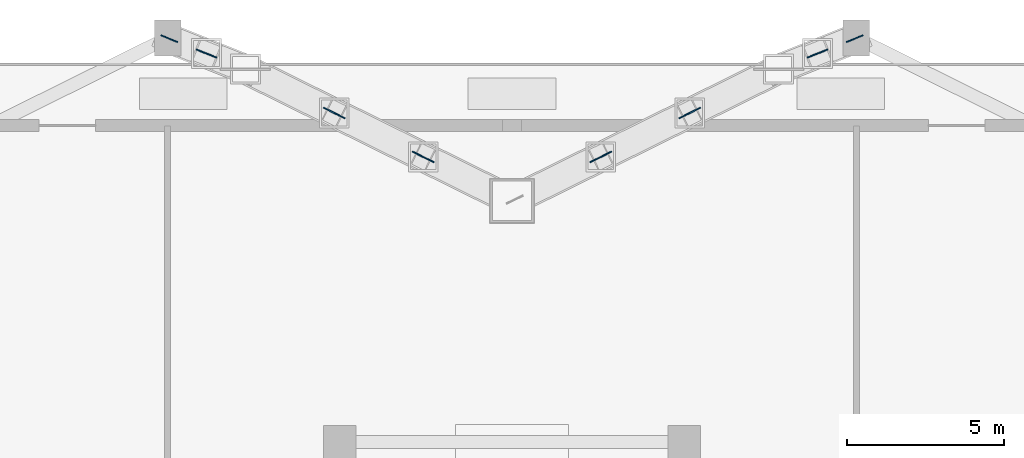
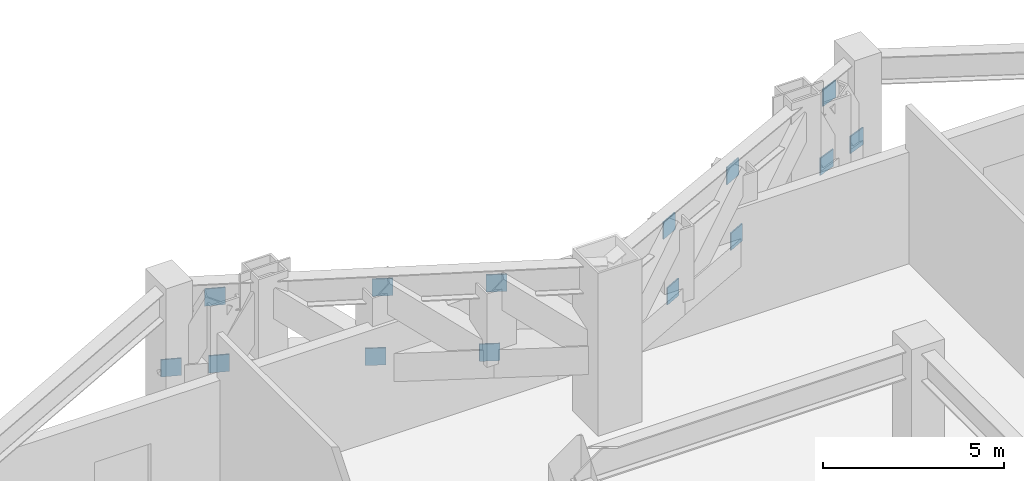
# One storey, part 5 of 9: 14 plates.
"""IFC4 building model written with IfcOpenShell, lengths in metres."""

from ifc_helpers import new_model, si_unit, direction, frame, origin, origin_2d, place, context, subcontext, project, spatial, rectangle, extrude, source, transform, mapped, material, layer, layer_set, type_object, element, save


model = new_model("IFC4")

# Units and contexts
model_context = context("Model", 3, precision=1e-05, world=origin(), true_north=direction((0.0, 1.0)))
body_context = subcontext(model_context, "Body", "Model", "MODEL_VIEW")
ifc_project = project(units=[si_unit("LENGTHUNIT", "METRE"), si_unit("AREAUNIT", "SQUARE_METRE"), si_unit("VOLUMEUNIT", "CUBIC_METRE"), si_unit("PLANEANGLEUNIT", "RADIAN"), si_unit("MASSUNIT", "GRAM", prefix="KILO")], contexts=[model_context])

# Site, building, storey
site_placement = place(None, origin())
site = spatial("IfcSite", under=ifc_project, at=site_placement, CompositionType="ELEMENT")
building_placement = place(site_placement, origin())
building = spatial("IfcBuilding", under=site, at=building_placement, Name="Varnakhor Terracotta Tower", CompositionType="ELEMENT")
storey_placement = place(building_placement, frame((0.0, 0.0, 22.0)))
storey = spatial("IfcBuildingStorey", under=building, at=storey_placement, Name="L04", CompositionType="ELEMENT", Elevation=22.0)

# Plates
ifc_material = material(Name="Steel S460", Category="steel")
ifc_layer = layer(ifc_material, 0.06005859375, Name="Steel S460")
ifc_layer_set = layer_set([ifc_layer], Name="Steel S460")
plate_type = type_object("IfcPlateType", Name="PLT-GUSSET-60", PredefinedType="USERDEFINED", material=ifc_layer_set)
shared_shape = source(origin(), body_context, "Body", "SweptSolid", [
    extrude(rectangle(XDim=0.580078125, YDim=0.0400390625, at=origin_2d()), origin(), (0.0, 0.0, 1.0), 0.580078125),
])
for number, where, z_axis, x_axis, name in (
    (1, (2.75341796875, 40.560546875, 4.365966796875), (0.0, 0.0, 1.0), (0.896525092225, 0.442992955938, 0.0), "L04 Brace End Connection Plate 8"),
    (2, (2.922607421875, 40.64404296875, 2.033935546875), (0.0, 0.0, 1.0), (0.896517360403, 0.443008603185, 0.0), "L04 Brace End Connection Plate 9"),
    (3, (5.59130859375, 41.962890625, 4.365966796875), (0.0, 0.0, 1.0), (0.896517360403, 0.443008603185, 0.0), "L04 Brace End Connection Plate 10"),
    (4, (5.7607421875, 42.04638671875, 2.033935546875), (0.0, 0.0, 1.0), (0.896525092225, 0.442992955938, 0.0), "L04 Brace End Connection Plate 11"),
    (5, (10.947021484375, 44.37890625, 2.065673828125), (0.0, 0.0, 1.0), (-0.928654252656, -0.370946463825, 0.0), "L04 Brace End Connection Plate 12"),
    (6, (9.809814453125, 43.924560546875, 4.33447265625), (0.0, 0.0, 1.0), (-0.928654252656, -0.370946463825, 0.0), "L04 Brace End Connection Plate 13"),
    (7, (9.7041015625, 43.88232421875, 2.065673828125), (0.0, 0.0, 1.0), (-0.928654252656, -0.370946463825, 0.0), "L04 Brace End Connection Plate 14"),
    (8, (-10.947021484375, 44.37890625, 2.065673828125), (0.0, 0.0, 1.0), (0.928654252656, -0.370946463825, 0.0), "L04 Brace End Connection Plate 15"),
    (9, (-9.809814453125, 43.924560546875, 4.33447265625), (0.0, 0.0, 1.0), (0.928654252656, -0.370946463825, 0.0), "L04 Brace End Connection Plate 16"),
    (10, (-9.7041015625, 43.88232421875, 2.065673828125), (0.0, 0.0, 1.0), (0.928654252656, -0.370946463825, 0.0), "L04 Brace End Connection Plate 17"),
    (11, (-2.75341796875, 40.560546875, 4.365966796875), (0.0, 0.0, 1.0), (-0.896525092225, 0.442992955938, 0.0), "L04 Brace End Connection Plate 18"),
    (12, (-2.922607421875, 40.64404296875, 2.033935546875), (0.0, 0.0, 1.0), (-0.896517360403, 0.443008603185, 0.0), "L04 Brace End Connection Plate 19"),
    (13, (-5.59130859375, 41.962890625, 4.365966796875), (0.0, 0.0, 1.0), (-0.896517360403, 0.443008603185, 0.0), "L04 Brace End Connection Plate 20"),
    (14, (-5.7607421875, 42.04638671875, 2.033935546875), (0.0, 0.0, 1.0), (-0.896525092225, 0.442992955938, 0.0), "L04 Brace End Connection Plate 21"),
):
    element("IfcPlate", number, at=place(storey_placement, frame(where, z_axis=z_axis, x_axis=x_axis)), inside=storey, type_object=plate_type, Name=name, ObjectType="GUSSET PLATE", PredefinedType="USERDEFINED", context=body_context, shape_type="MappedRepresentation", body=[
        mapped(shared_shape, transform((0.0, 0.0, 0.0), scale=1.0)),
    ])

save(model, "model.ifc")
